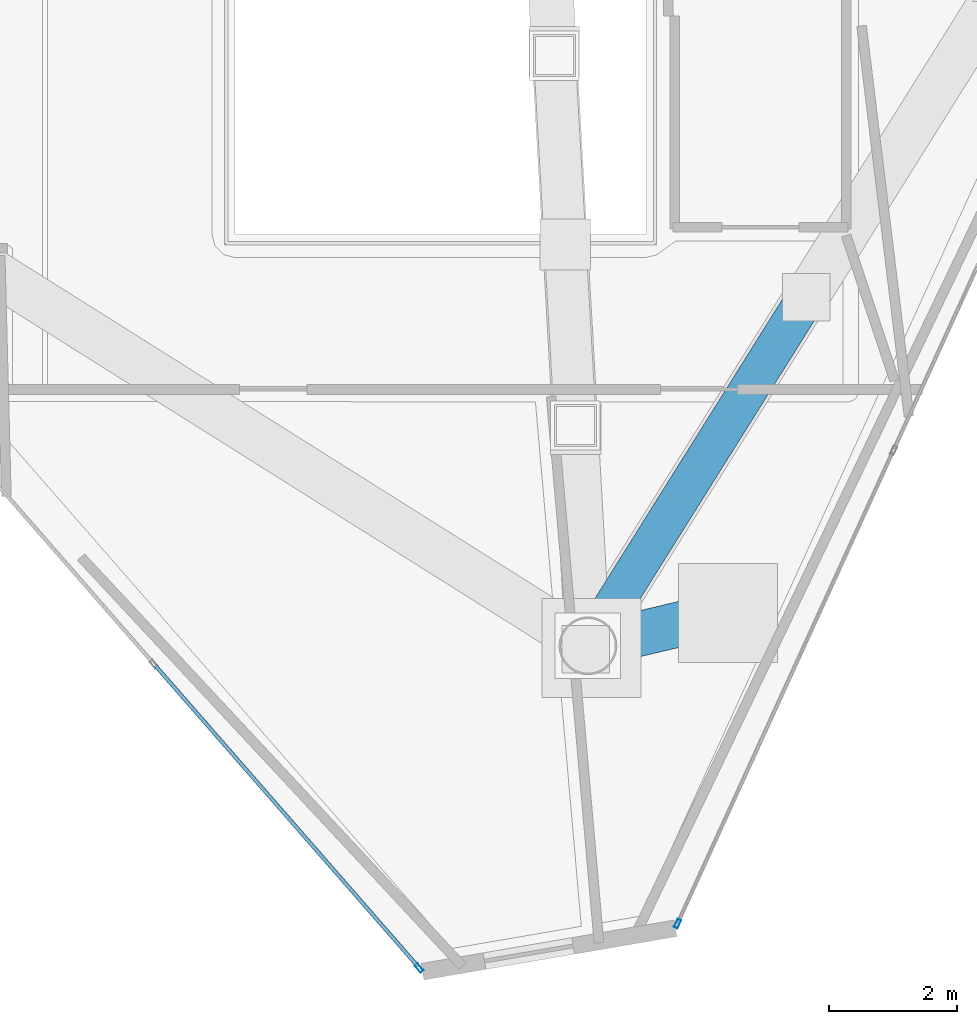
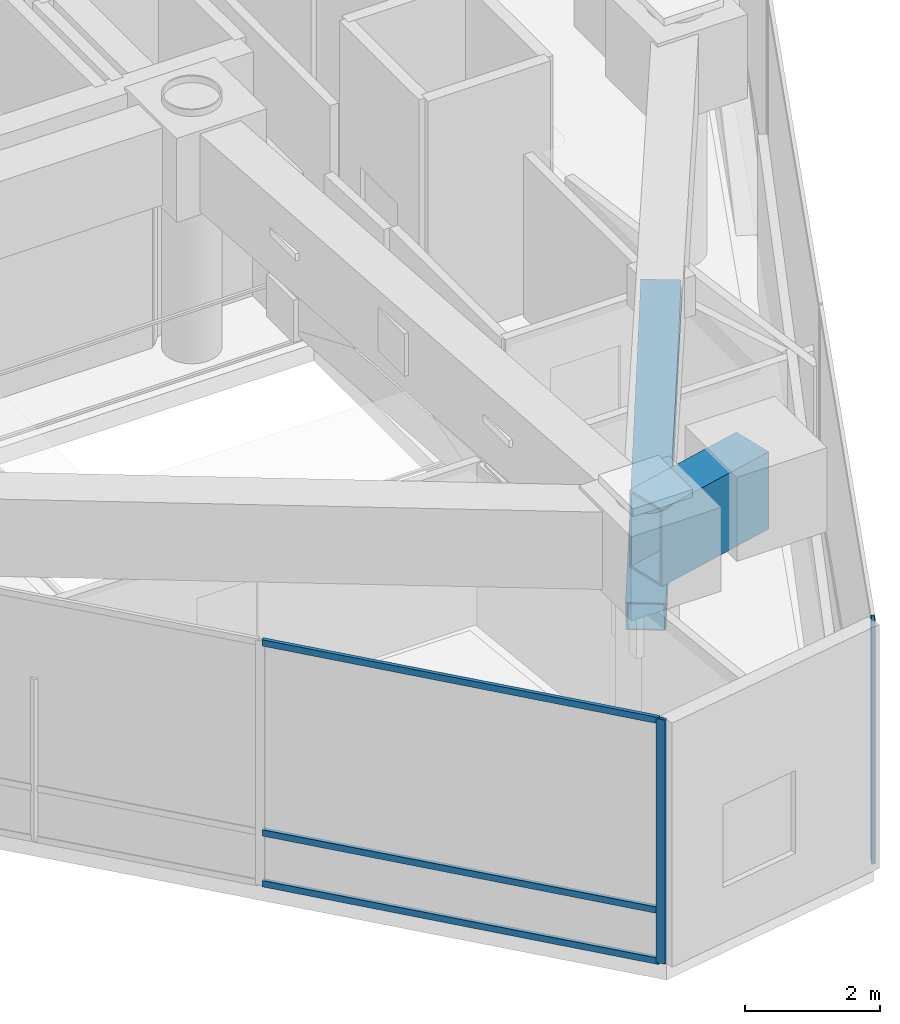
# One storey, part 4 of 20: 6 members, 1 beam, 2 elements without a shape of their own.
"""IFC4 building model written with IfcOpenShell, lengths in metres."""

from ifc_helpers import new_model, si_unit, direction, frame, origin, origin_2d, place, context, subcontext, project, spatial, hollow_rectangle, extrude, material, layer, layer_set, material_profile, profile_set, type_object, element, aggregate, save


model = new_model("IFC4")

# Units and contexts
model_context = context("Model", 3, precision=1e-05, world=origin(), true_north=direction((0.0, 1.0)))
body_context = subcontext(model_context, "Body", "Model", "MODEL_VIEW")
ifc_project = project(units=[si_unit("LENGTHUNIT", "METRE"), si_unit("AREAUNIT", "SQUARE_METRE"), si_unit("VOLUMEUNIT", "CUBIC_METRE"), si_unit("PLANEANGLEUNIT", "RADIAN"), si_unit("MASSUNIT", "GRAM", prefix="KILO")], contexts=[model_context])

# Site, building, storey
site_placement = place(None, origin())
site = spatial("IfcSite", under=ifc_project, at=site_placement, CompositionType="ELEMENT")
building_placement = place(site_placement, origin())
building = spatial("IfcBuilding", under=site, at=building_placement, Name="Qianvela Tower", CompositionType="ELEMENT")
storey_placement = place(building_placement, frame((0.0, 0.0, 321.300048828125)))
storey = spatial("IfcBuildingStorey", under=building, at=storey_placement, Name="L83", CompositionType="ELEMENT", Elevation=321.300048828125)

# Beam
ifc_material_1 = material(Name="Steel Q420GJC", Category="steel")
ifc_material_profile_1 = material_profile(ifc_material_1, hollow_rectangle(XDim=0.699951171875, YDim=1.39990234375, WallThickness=0.0400390625, at=origin_2d()), Name="TG-BOX-1400x700x40")
ifc_profile_set_1 = profile_set([ifc_material_profile_1], Name="Steel Q420GJC")
beam_type = type_object("IfcBeamType", Name="BM-TG-STEP-1400", PredefinedType="BEAM", material=ifc_profile_set_1)
beam_placement = place(storey_placement, frame((39.095947265625, 11.587890625, 3.718017578125), z_axis=(0.97332305394, 0.229438951942, 0.0), x_axis=(-0.229438951942, 0.97332305394, 0.0)))
element("IfcBeam", 1, at=beam_placement, inside=storey, type_object=beam_type, Name="L83 Zone-Step Transfer Girder 5", PredefinedType="BEAM", context=body_context, shape_type="SweptSolid", body=[
    extrude(hollow_rectangle(XDim=0.699951171875, YDim=1.39990234375, WallThickness=0.0400390625, at=origin_2d()), origin(), (0.0, 0.0, 1.0), 2.17919921875),
])

# Curtain wall, member
ifc_material_2 = material(Name="Anodised Architectural Aluminium and Low-E Glass", Category="aluminium")
ifc_layer = layer(ifc_material_2, 0.14990234375)
ifc_layer_set = layer_set([ifc_layer], Name="Anodised Architectural Aluminium and Low-E Glass")
curtain_wall_type = type_object("IfcCurtainWallType", Name="CW-COLIV-Z78", PredefinedType="USERDEFINED", material=ifc_layer_set)
curtain_wall_1_placement = place(storey_placement, origin())
curtain_wall_1 = element("IfcCurtainWall", 2, at=curtain_wall_1_placement, inside=storey, type_object=curtain_wall_type, Name="L83 CW-COLIV-Z78 Curtain Wall 04C", ObjectType="CURTAIN_WALL_SYSTEM", PredefinedType="USERDEFINED")
ifc_material_3 = material(Name="Anodised Architectural Aluminium 6063-T6", Category="aluminium")
ifc_material_profile_2 = material_profile(ifc_material_3, hollow_rectangle(XDim=0.06005859375, YDim=0.139892578125, WallThickness=0.00439453125, at=origin_2d()), Name="ALU-MULL-60x140")
ifc_profile_set_2 = profile_set([ifc_material_profile_2], Name="Anodised Architectural Aluminium 6063-T6")
member_type_1 = type_object("IfcMemberType", Name="CW-COLIV-Z78-MULL", PredefinedType="MULLION", material=ifc_profile_set_2)
member_1_placement = place(storey_placement, frame((36.46630859375, 6.571044921875, 0.0), z_axis=(0.0, 0.0, 1.0), x_axis=(0.753333389016, 0.657638810438, 0.0)))
member_1 = element("IfcMember", 3, at=member_1_placement, type_object=member_type_1, Name="CW-6 mullion 3", PredefinedType="MULLION", context=body_context, shape_type="SweptSolid", body=[
    extrude(hollow_rectangle(XDim=0.06005859375, YDim=0.139892578125, WallThickness=0.00439453125, at=origin_2d()), origin(), (0.0, 0.0, 1.0), 4.419921875),
])

curtain_wall_2_placement = place(storey_placement, origin())
curtain_wall_2 = element("IfcCurtainWall", 4, at=curtain_wall_2_placement, inside=storey, type_object=curtain_wall_type, Name="L83 CW-COLIV-Z78 Curtain Wall 06A", ObjectType="CURTAIN_WALL_SYSTEM", PredefinedType="USERDEFINED")
member_2_placement = place(storey_placement, frame((40.49267578125, 7.259521484375, 0.0), z_axis=(0.0, 0.0, 1.0), x_axis=(-0.909766682548, 0.415119962571, 0.0)))
member_2 = element("IfcMember", 5, at=member_2_placement, type_object=member_type_1, Name="CW-6 mullion 1", PredefinedType="MULLION", context=body_context, shape_type="SweptSolid", body=[
    extrude(hollow_rectangle(XDim=0.06005859375, YDim=0.139892578125, WallThickness=0.00439453125, at=origin_2d()), origin(), (0.0, 0.0, 1.0), 4.419921875),
])
aggregate(curtain_wall_2, [member_2])

# Member
ifc_material_4 = material(Name="Anodised Architectural Aluminium 6063-T6", Category="aluminium")
ifc_material_profile_3 = material_profile(ifc_material_4, hollow_rectangle(XDim=0.06005859375, YDim=0.114990234375, WallThickness=0.00390625, at=origin_2d()), Name="ALU-TRAN-60x115")
ifc_profile_set_3 = profile_set([ifc_material_profile_3], Name="Anodised Architectural Aluminium 6063-T6")
member_type_2 = type_object("IfcMemberType", Name="CW-COLIV-Z78-TRAN", PredefinedType="USERDEFINED", material=ifc_profile_set_3)
member_3_placement = place(storey_placement, frame((32.35498046875, 11.28076171875, 0.030029296875), z_axis=(0.657631845312, -0.753339469318, 0.0), x_axis=(0.753339469318, 0.657631845312, 0.0)))
member_3 = element("IfcMember", 6, at=member_3_placement, type_object=member_type_2, Name="CW-6 transom 2.1", ObjectType="TRANSOM", PredefinedType="USERDEFINED", context=body_context, shape_type="SweptSolid", body=[
    extrude(hollow_rectangle(XDim=0.06005859375, YDim=0.114990234375, WallThickness=0.00390625, at=origin_2d()), origin(), (0.0, 0.0, 1.0), 6.2216796875),
])

member_4_placement = place(storey_placement, frame((32.35498046875, 11.28076171875, 0.949951171875), z_axis=(0.657631845312, -0.753339469318, 0.0), x_axis=(0.753339469318, 0.657631845312, 0.0)))
member_4 = element("IfcMember", 7, at=member_4_placement, type_object=member_type_2, Name="CW-6 transom 2.2", ObjectType="TRANSOM", PredefinedType="USERDEFINED", context=body_context, shape_type="SweptSolid", body=[
    extrude(hollow_rectangle(XDim=0.06005859375, YDim=0.114990234375, WallThickness=0.00390625, at=origin_2d()), origin(), (0.0, 0.0, 1.0), 6.2216796875),
])

member_5_placement = place(storey_placement, frame((32.35498046875, 11.28076171875, 4.389892578125), z_axis=(0.657631845312, -0.753339469318, 0.0), x_axis=(0.753339469318, 0.657631845312, 0.0)))
member_5 = element("IfcMember", 8, at=member_5_placement, type_object=member_type_2, Name="CW-6 transom 2.3", ObjectType="TRANSOM", PredefinedType="USERDEFINED", context=body_context, shape_type="SweptSolid", body=[
    extrude(hollow_rectangle(XDim=0.06005859375, YDim=0.114990234375, WallThickness=0.00390625, at=origin_2d()), origin(), (0.0, 0.0, 1.0), 6.2216796875),
])

aggregate(curtain_wall_1, [member_1, member_3, member_4, member_5])

ifc_material_5 = material(Name="Steel Q420GJC", Category="steel")
ifc_material_profile_4 = material_profile(ifc_material_5, hollow_rectangle(XDim=0.60009765625, YDim=0.60009765625, WallThickness=0.02490234375, at=origin_2d()), Name="BBOX-600x600x25")
ifc_profile_set_4 = profile_set([ifc_material_profile_4], Name="Steel Q420GJC")
member_type_3 = type_object("IfcMemberType", Name="MBR-BELT-600", PredefinedType="BRACE", material=ifc_profile_set_4)
member_6_placement = place(storey_placement, frame((39.095947265625, 11.587890625, 2.300048828125), z_axis=(0.518073418856, 0.827077934118, 0.218041334545), x_axis=(-0.847468418134, 0.530845815907, 0.0)))
element("IfcMember", 9, at=member_6_placement, inside=storey, type_object=member_type_3, Name="L83 Perimeter Belt-Truss Web Diagonal 5", PredefinedType="BRACE", context=body_context, shape_type="SweptSolid", body=[
    extrude(hollow_rectangle(XDim=0.60009765625, YDim=0.60009765625, WallThickness=0.02490234375, at=origin_2d()), origin(), (0.0, 0.0, 1.0), 6.503173828125),
])

save(model, "model.ifc")
